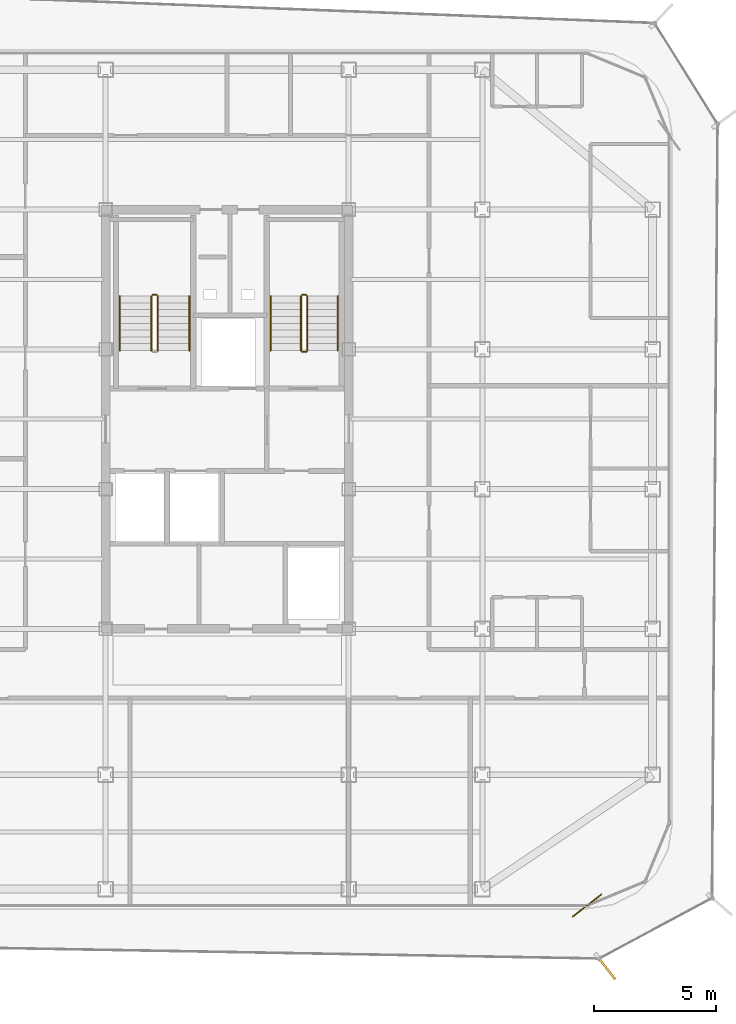
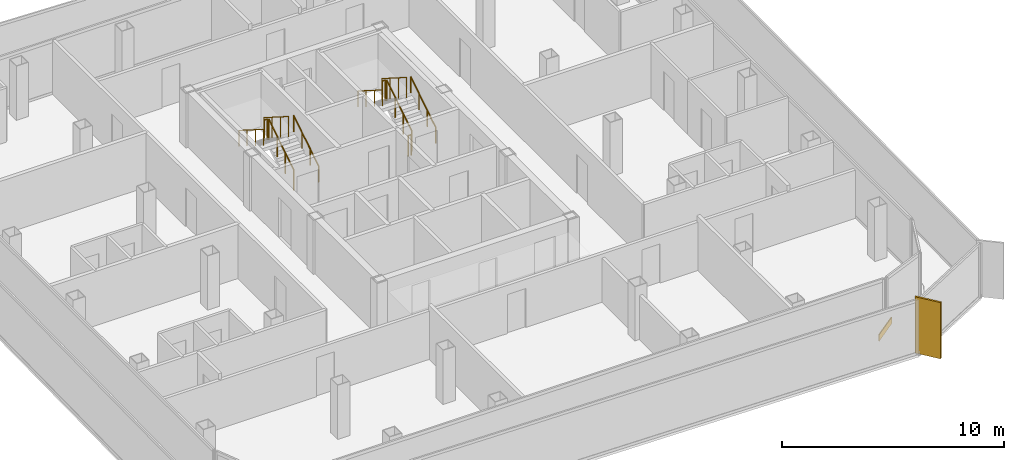
# One storey, part 14 of 15: 11 railings, 1 covering, 1 shading device.
"""IFC4 building model written with IfcOpenShell, lengths in metres."""

from ifc_helpers import new_model, si_unit, direction, frame, origin, origin_2d, place, context, subcontext, project, spatial, rectangle, circle, extrude, source, transform, mapped, material, layer, layer_set, type_object, element, save


model = new_model("IFC4")

# Units and contexts
model_context = context("Model", 3, precision=1e-05, world=origin(), true_north=direction((0.0, 1.0)))
body_context = subcontext(model_context, "Body", "Model", "MODEL_VIEW")
ifc_project = project(units=[si_unit("LENGTHUNIT", "METRE"), si_unit("AREAUNIT", "SQUARE_METRE"), si_unit("VOLUMEUNIT", "CUBIC_METRE"), si_unit("PLANEANGLEUNIT", "RADIAN"), si_unit("MASSUNIT", "GRAM", prefix="KILO")], contexts=[model_context])

# Site, building, storey
site_placement = place(None, origin())
site = spatial("IfcSite", under=ifc_project, at=site_placement, CompositionType="ELEMENT")
building_placement = place(site_placement, origin())
building = spatial("IfcBuilding", under=site, at=building_placement, Name="Kolveth Station Tower", CompositionType="ELEMENT")
storey_placement = place(building_placement, frame((0.0, 0.0, 229.699951171875)))
storey = spatial("IfcBuildingStorey", under=building, at=storey_placement, Name="L65", CompositionType="ELEMENT", Elevation=229.699951171875)

# Railings
ifc_material_1 = material(Name="Painted Steel S355 balustrade", Category="steel")
railing_type_1 = type_object("IfcRailingType", Name="Guard_GR2", PredefinedType="BALUSTRADE", material=ifc_material_1)
railing_1_placement = place(storey_placement, frame((20.64990234375, 22.949951171875, 0.177734375)))
element("IfcRailing", 1, at=railing_1_placement, inside=storey, type_object=railing_type_1, Name="L65 ST1 stair guard 1", PredefinedType="BALUSTRADE", context=body_context, shape_type="SweptSolid", body=[
    extrude(circle(Radius=0.02392578125, at=origin_2d()), frame((0.0, 0.0, 1.1259765625), z_axis=(0.0, 0.84418770128, 0.536047689118), x_axis=(-1.0, 0.0, 0.0)), (0.0, 0.0, 1.0), 2.6533203125),
    extrude(circle(Radius=0.02099609375, at=origin_2d()), origin(), (0.0, 0.0, 1.0), 1.101806640625),
    extrude(circle(Radius=0.02099609375, at=origin_2d()), frame((0.0, 0.74658203125, 0.47412109375)), (0.0, 0.0, 1.0), 1.101806640625),
    extrude(circle(Radius=0.02099609375, at=origin_2d()), frame((0.0, 1.493408203125, 0.9482421875)), (0.0, 0.0, 1.0), 1.101806640625),
    extrude(circle(Radius=0.02099609375, at=origin_2d()), frame((0.0, 2.239990234375, 1.42236328125)), (0.0, 0.0, 1.0), 1.101806640625),
])
railing_2_placement = place(storey_placement, frame((20.60009765625, 25.239990234375, 1.60009765625)))
element("IfcRailing", 2, at=railing_2_placement, inside=storey, type_object=railing_type_1, Name="L65 ST1 stair guard 2", PredefinedType="BALUSTRADE", context=body_context, shape_type="SweptSolid", body=[
    extrude(circle(Radius=0.02392578125, at=origin_2d()), frame((0.0, 0.0, 1.1259765625), z_axis=(-1.0, 0.0, 0.0), x_axis=(0.0, -1.0, 0.0)), (0.0, 0.0, 1.0), 0.16015625),
    extrude(circle(Radius=0.02099609375, at=origin_2d()), origin(), (0.0, 0.0, 1.0), 1.101806640625),
    extrude(circle(Radius=0.02099609375, at=origin_2d()), frame((-0.16015625, 0.0, 0.0)), (0.0, 0.0, 1.0), 1.101806640625),
])
railing_3_placement = place(storey_placement, frame((20.389892578125, 25.18994140625, 1.77783203125)))
element("IfcRailing", 3, at=railing_3_placement, inside=storey, type_object=railing_type_1, Name="L65 ST1 stair guard 3", PredefinedType="BALUSTRADE", context=body_context, shape_type="SweptSolid", body=[
    extrude(circle(Radius=0.02392578125, at=origin_2d()), frame((0.0, 0.0, 1.1259765625), z_axis=(0.0, -0.8442293374, 0.53598211339), x_axis=(1.0, 0.0, 0.0)), (0.0, 0.0, 1.0), 2.6533203125),
    extrude(circle(Radius=0.02099609375, at=origin_2d()), origin(), (0.0, 0.0, 1.0), 1.101806640625),
    extrude(circle(Radius=0.02099609375, at=origin_2d()), frame((0.0, -0.74658203125, 0.47412109375)), (0.0, 0.0, 1.0), 1.101806640625),
    extrude(circle(Radius=0.02099609375, at=origin_2d()), frame((0.0, -1.493408203125, 0.947998046875)), (0.0, 0.0, 1.0), 1.101806640625),
    extrude(circle(Radius=0.02099609375, at=origin_2d()), frame((0.0, -2.239990234375, 1.422119140625)), (0.0, 0.0, 1.0), 1.101806640625),
])
railing_4_placement = place(storey_placement, frame((26.800048828125, 22.949951171875, 0.177734375)))
element("IfcRailing", 4, at=railing_4_placement, inside=storey, type_object=railing_type_1, Name="L65 ST2 stair guard 1", PredefinedType="BALUSTRADE", context=body_context, shape_type="SweptSolid", body=[
    extrude(circle(Radius=0.02392578125, at=origin_2d()), frame((0.0, 0.0, 1.1259765625), z_axis=(0.0, 0.84418770128, 0.536047689118), x_axis=(-1.0, 0.0, 0.0)), (0.0, 0.0, 1.0), 2.6533203125),
    extrude(circle(Radius=0.02099609375, at=origin_2d()), origin(), (0.0, 0.0, 1.0), 1.101806640625),
    extrude(circle(Radius=0.02099609375, at=origin_2d()), frame((0.0, 0.74658203125, 0.47412109375)), (0.0, 0.0, 1.0), 1.101806640625),
    extrude(circle(Radius=0.02099609375, at=origin_2d()), frame((0.0, 1.493408203125, 0.9482421875)), (0.0, 0.0, 1.0), 1.101806640625),
    extrude(circle(Radius=0.02099609375, at=origin_2d()), frame((0.0, 2.239990234375, 1.42236328125)), (0.0, 0.0, 1.0), 1.101806640625),
])
railing_5_placement = place(storey_placement, frame((26.75, 25.239990234375, 1.60009765625)))
element("IfcRailing", 5, at=railing_5_placement, inside=storey, type_object=railing_type_1, Name="L65 ST2 stair guard 2", PredefinedType="BALUSTRADE", context=body_context, shape_type="SweptSolid", body=[
    extrude(circle(Radius=0.02392578125, at=origin_2d()), frame((0.0, 0.0, 1.1259765625), z_axis=(-1.0, 0.0, 0.0), x_axis=(0.0, -1.0, 0.0)), (0.0, 0.0, 1.0), 0.159912109375),
    extrude(circle(Radius=0.02099609375, at=origin_2d()), origin(), (0.0, 0.0, 1.0), 1.101806640625),
    extrude(circle(Radius=0.02099609375, at=origin_2d()), frame((-0.159912109375, 0.0, 0.0)), (0.0, 0.0, 1.0), 1.101806640625),
])
railing_6_placement = place(storey_placement, frame((26.5400390625, 25.18994140625, 1.77783203125)))
element("IfcRailing", 6, at=railing_6_placement, inside=storey, type_object=railing_type_1, Name="L65 ST2 stair guard 3", PredefinedType="BALUSTRADE", context=body_context, shape_type="SweptSolid", body=[
    extrude(circle(Radius=0.02392578125, at=origin_2d()), frame((0.0, 0.0, 1.1259765625), z_axis=(0.0, -0.8442293374, 0.53598211339), x_axis=(1.0, 0.0, 0.0)), (0.0, 0.0, 1.0), 2.6533203125),
    extrude(circle(Radius=0.02099609375, at=origin_2d()), origin(), (0.0, 0.0, 1.0), 1.101806640625),
    extrude(circle(Radius=0.02099609375, at=origin_2d()), frame((0.0, -0.74658203125, 0.47412109375)), (0.0, 0.0, 1.0), 1.101806640625),
    extrude(circle(Radius=0.02099609375, at=origin_2d()), frame((0.0, -1.493408203125, 0.947998046875)), (0.0, 0.0, 1.0), 1.101806640625),
    extrude(circle(Radius=0.02099609375, at=origin_2d()), frame((0.0, -2.239990234375, 1.422119140625)), (0.0, 0.0, 1.0), 1.101806640625),
])
railing_7_placement = place(storey_placement, frame((26.75, 22.89990234375, 0.0)))
element("IfcRailing", 7, at=railing_7_placement, inside=storey, type_object=railing_type_1, Name="L65 ST2 stair guard 4", PredefinedType="BALUSTRADE", context=body_context, shape_type="SweptSolid", body=[
    extrude(circle(Radius=0.02392578125, at=origin_2d()), frame((0.0, 0.0, 1.1259765625), z_axis=(-1.0, 0.0, 0.0), x_axis=(0.0, -1.0, 0.0)), (0.0, 0.0, 1.0), 0.159912109375),
    extrude(circle(Radius=0.02099609375, at=origin_2d()), origin(), (0.0, 0.0, 1.0), 1.101806640625),
    extrude(circle(Radius=0.02099609375, at=origin_2d()), frame((-0.159912109375, 0.0, 0.0)), (0.0, 0.0, 1.0), 1.101806640625),
])
ifc_material_2 = material(Name="Brushed stainless steel", Category="steel")
railing_type_2 = type_object("IfcRailingType", Name="Handrail_HR1", PredefinedType="HANDRAIL", material=ifc_material_2)
railing_8_placement = place(storey_placement, frame((21.949951171875, 22.949951171875, 0.177734375)))
element("IfcRailing", 8, at=railing_8_placement, inside=storey, type_object=railing_type_2, Name="L65 ST1 stair handrail 1", PredefinedType="HANDRAIL", context=body_context, shape_type="SweptSolid", body=[
    extrude(circle(Radius=0.02392578125, at=origin_2d()), frame((0.0, 0.0, 0.8759765625), z_axis=(0.0, 0.84418770128, 0.536047689118), x_axis=(-1.0, 0.0, 0.0)), (0.0, 0.0, 1.0), 2.6533203125),
    extrude(circle(Radius=0.02099609375, at=origin_2d()), origin(), (0.0, 0.0, 1.0), 0.851806640625),
    extrude(circle(Radius=0.02099609375, at=origin_2d()), frame((0.0, 0.74658203125, 0.47412109375)), (0.0, 0.0, 1.0), 0.851806640625),
    extrude(circle(Radius=0.02099609375, at=origin_2d()), frame((0.0, 1.493408203125, 0.9482421875)), (0.0, 0.0, 1.0), 0.851806640625),
    extrude(circle(Radius=0.02099609375, at=origin_2d()), frame((0.0, 2.239990234375, 1.42236328125)), (0.0, 0.0, 1.0), 0.851806640625),
])
railing_9_placement = place(storey_placement, frame((19.090087890625, 25.18994140625, 1.77783203125)))
element("IfcRailing", 9, at=railing_9_placement, inside=storey, type_object=railing_type_2, Name="L65 ST1 stair handrail 2", PredefinedType="HANDRAIL", context=body_context, shape_type="SweptSolid", body=[
    extrude(circle(Radius=0.02392578125, at=origin_2d()), frame((0.0, 0.0, 0.8759765625), z_axis=(0.0, -0.8442293374, 0.53598211339), x_axis=(1.0, 0.0, 0.0)), (0.0, 0.0, 1.0), 2.6533203125),
    extrude(circle(Radius=0.02099609375, at=origin_2d()), origin(), (0.0, 0.0, 1.0), 0.851806640625),
    extrude(circle(Radius=0.02099609375, at=origin_2d()), frame((0.0, -0.74658203125, 0.47412109375)), (0.0, 0.0, 1.0), 0.851806640625),
    extrude(circle(Radius=0.02099609375, at=origin_2d()), frame((0.0, -1.493408203125, 0.947998046875)), (0.0, 0.0, 1.0), 0.851806640625),
    extrude(circle(Radius=0.02099609375, at=origin_2d()), frame((0.0, -2.239990234375, 1.422119140625)), (0.0, 0.0, 1.0), 0.851806640625),
])
railing_10_placement = place(storey_placement, frame((28.050048828125, 22.949951171875, 0.177734375)))
element("IfcRailing", 10, at=railing_10_placement, inside=storey, type_object=railing_type_2, Name="L65 ST2 stair handrail 1", PredefinedType="HANDRAIL", context=body_context, shape_type="SweptSolid", body=[
    extrude(circle(Radius=0.02392578125, at=origin_2d()), frame((0.0, 0.0, 0.8759765625), z_axis=(0.0, 0.84418770128, 0.536047689118), x_axis=(-1.0, 0.0, 0.0)), (0.0, 0.0, 1.0), 2.6533203125),
    extrude(circle(Radius=0.02099609375, at=origin_2d()), origin(), (0.0, 0.0, 1.0), 0.851806640625),
    extrude(circle(Radius=0.02099609375, at=origin_2d()), frame((0.0, 0.74658203125, 0.47412109375)), (0.0, 0.0, 1.0), 0.851806640625),
    extrude(circle(Radius=0.02099609375, at=origin_2d()), frame((0.0, 1.493408203125, 0.9482421875)), (0.0, 0.0, 1.0), 0.851806640625),
    extrude(circle(Radius=0.02099609375, at=origin_2d()), frame((0.0, 2.239990234375, 1.42236328125)), (0.0, 0.0, 1.0), 0.851806640625),
])
railing_11_placement = place(storey_placement, frame((25.2900390625, 25.18994140625, 1.77783203125)))
element("IfcRailing", 11, at=railing_11_placement, inside=storey, type_object=railing_type_2, Name="L65 ST2 stair handrail 2", PredefinedType="HANDRAIL", context=body_context, shape_type="SweptSolid", body=[
    extrude(circle(Radius=0.02392578125, at=origin_2d()), frame((0.0, 0.0, 0.8759765625), z_axis=(0.0, -0.8442293374, 0.53598211339), x_axis=(1.0, 0.0, 0.0)), (0.0, 0.0, 1.0), 2.6533203125),
    extrude(circle(Radius=0.02099609375, at=origin_2d()), origin(), (0.0, 0.0, 1.0), 0.851806640625),
    extrude(circle(Radius=0.02099609375, at=origin_2d()), frame((0.0, -0.74658203125, 0.47412109375)), (0.0, 0.0, 1.0), 0.851806640625),
    extrude(circle(Radius=0.02099609375, at=origin_2d()), frame((0.0, -1.493408203125, 0.947998046875)), (0.0, 0.0, 1.0), 0.851806640625),
    extrude(circle(Radius=0.02099609375, at=origin_2d()), frame((0.0, -2.239990234375, 1.422119140625)), (0.0, 0.0, 1.0), 0.851806640625),
])

# Shading device
ifc_material_3 = material(Name="Black anodized aluminium 6063-T6", Category="aluminium")
shading_device_type = type_object("IfcShadingDeviceType", Name="FIN_VF1", PredefinedType="USERDEFINED", material=ifc_material_3)
shared_shape_1 = source(origin(), body_context, "Body", "SweptSolid", [
    extrude(rectangle(XDim=1.25, YDim=0.090087890625, at=origin_2d()), origin(), (0.0, 0.0, 1.0), 3.10009765625),
])
shading_device_placement = place(storey_placement, frame((39.076904296875, -2.419921875, 0.0), z_axis=(0.0, 0.0, 1.0), x_axis=(0.613182832438, -0.789941019319, 0.0)))
element("IfcShadingDevice", 12, at=shading_device_placement, inside=storey, type_object=shading_device_type, Name="L65 Dark-Aluminium Solar Fin 1", ObjectType="FIN", PredefinedType="USERDEFINED", context=body_context, shape_type="MappedRepresentation", body=[
    mapped(shared_shape_1, transform((0.0, 0.0, 0.0), x_axis=(1.0, 0.0, 0.0), y_axis=(0.0, 1.0, 0.0), z_axis=(0.0, 0.0, 1.0), scale=1.0)),
])

# Covering
ifc_material_4 = material(Name="Charcoal anodized aluminium spandrel cladding", Category="aluminium")
ifc_layer = layer(ifc_material_4, 0.044921875)
ifc_layer_set = layer_set([ifc_layer], Name="Charcoal anodized aluminium spandrel cladding")
covering_type = type_object("IfcCoveringType", Name="Clad_CD1", PredefinedType="CLADDING", material=ifc_layer_set)
shared_shape_2 = source(origin(), body_context, "Body", "SweptSolid", [
    extrude(rectangle(XDim=1.5, YDim=0.044921875, at=origin_2d()), origin(), (0.0, 0.0, 1.0), 0.360107421875),
])
covering_placement = place(storey_placement, frame((38.300048828125, 0.1201171875, 0.0), z_axis=(0.0, 0.0, 1.0), x_axis=(0.789941019319, 0.613182832438, 0.0)))
element("IfcCovering", 13, at=covering_placement, inside=storey, type_object=covering_type, Name="L65 Spandrel Edge Cladding 1", PredefinedType="CLADDING", context=body_context, shape_type="MappedRepresentation", body=[
    mapped(shared_shape_2, transform((0.0, 0.0, 0.0), x_axis=(1.0, 0.0, 0.0), y_axis=(0.0, 1.0, 0.0), z_axis=(0.0, 0.0, 1.0), scale=1.0)),
])

save(model, "model.ifc")
